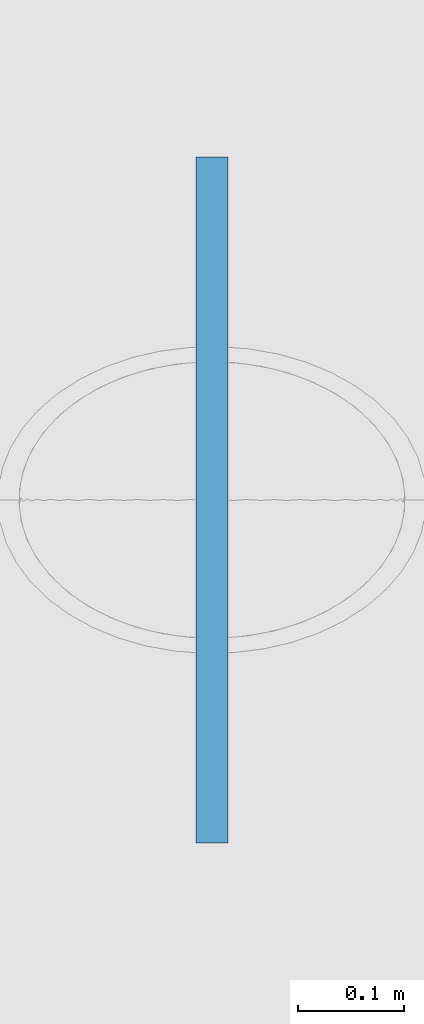
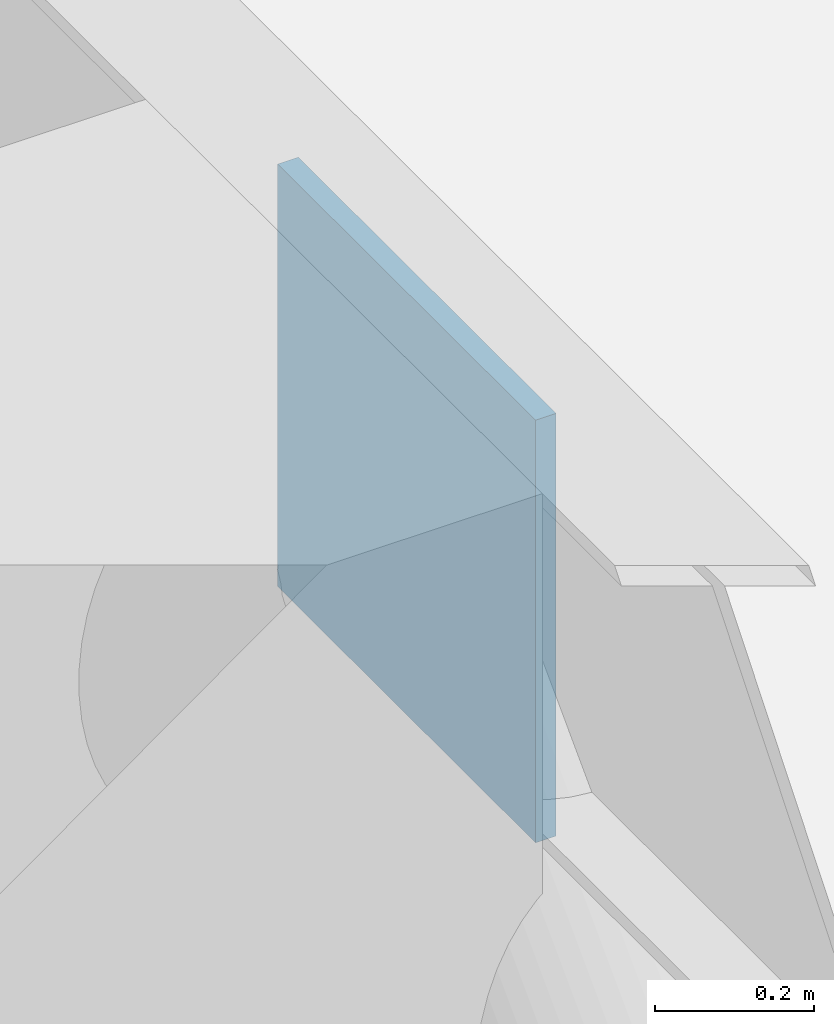
# One storey, part 41 of 60: 1 plate.
"""IFC4 building model written with IfcOpenShell, lengths in metres."""

import ifcopenshell
import ifcopenshell.guid

model = None  # the IFC model being written
_history = None  # IfcOwnerHistory: only IFC2X3 demands one
_inside = {}  # id of a spatial element -> (the spatial element, [elements in it])
_under = {}  # id of a project, library or spatial element -> (it, [spatial elements below it])
_declared = {}  # id of a project -> (the project, [libraries it declares])
_typed = {}  # id of a type object -> (the type object, [elements of that type])
_made_of = {}  # id of a material, layer set ... -> (it, [elements and type objects made of it])


def new_model(schema):
    """Start an empty IFC model of exactly this schema.

    Asked for "IFC4X3", IfcOpenShell would pick the latest addendum, in which some entities
    have other attributes; the version numbers below select the first issue.
    IFC2X3 requires an IfcOwnerHistory on every rooted entity: one is made here for all.
    """
    global model, _history
    if schema == "IFC4X3":
        model = ifcopenshell.file(schema_version=(4, 3, 0, 0))
    else:
        model = ifcopenshell.file(schema=schema)
    _inside.clear()
    _under.clear()
    _declared.clear()
    _typed.clear()
    _made_of.clear()
    _history = None
    if model.schema == "IFC2X3":
        org = make("IfcOrganization", Name="unknown")
        user = make(
            "IfcPersonAndOrganization",
            ThePerson=make("IfcPerson", FamilyName="unknown"),
            TheOrganization=org,
        )
        app = make(
            "IfcApplication",
            ApplicationDeveloper=org,
            Version="unknown",
            ApplicationFullName="unknown",
            ApplicationIdentifier="unknown",
        )
        _history = make(
            "IfcOwnerHistory",
            OwningUser=user,
            OwningApplication=app,
            ChangeAction="ADDED",
            CreationDate=0,
        )
    return model


def make(cls, **values):
    """One entity of the class cls with the attributes given. An attribute that is None is left unset."""
    return model.create_entity(
        cls, **{name: value for name, value in values.items() if value is not None}
    )


def rooted(cls, **values):
    """An entity with a GlobalId (a new one), such as an element, a storey or a relation."""
    return make(cls, GlobalId=ifcopenshell.guid.new(), OwnerHistory=_history, **values)


def si_unit(unit_type, name, prefix=None):
    """IfcSIUnit, for example si_unit("LENGTHUNIT", "METRE", prefix="MILLI")."""
    return make("IfcSIUnit", UnitType=unit_type, Prefix=prefix, Name=name)


def assignment(units):
    """IfcUnitAssignment: the units of a project."""
    return None if units is None else make("IfcUnitAssignment", Units=units)


def point(xyz):
    """IfcCartesianPoint."""
    return None if xyz is None else make("IfcCartesianPoint", Coordinates=xyz)


def direction(xyz):
    """IfcDirection."""
    return None if xyz is None else make("IfcDirection", DirectionRatios=xyz)


def frame(location, z_axis=None, x_axis=None):
    """IfcAxis2Placement3D, a coordinate frame: its origin and axes. An axis left out is left unset."""
    return make(
        "IfcAxis2Placement3D",
        Location=point(location),
        Axis=direction(z_axis),
        RefDirection=direction(x_axis),
    )


def frame_2d(location, x_axis=None):
    """IfcAxis2Placement2D, a coordinate frame in the plane: its origin and x axis."""
    return make(
        "IfcAxis2Placement2D", Location=point(location), RefDirection=direction(x_axis)
    )


def origin():
    """The frame at (0, 0, 0) with its axes left unset."""
    return frame((0.0, 0.0, 0.0))


def origin_2d():
    """The frame at (0, 0) in the plane with its x axis left unset."""
    return frame_2d((0.0, 0.0))


def place(relative_to, where):
    """IfcLocalPlacement: puts the frame where relative to a parent placement (None: the world)."""
    return make(
        "IfcLocalPlacement", PlacementRelTo=relative_to, RelativePlacement=where
    )


def context(
    kind, dimensions, precision=None, world=None, true_north=None, identifier=None
):
    """IfcGeometricRepresentationContext, for example the 3D "Model" context."""
    return make(
        "IfcGeometricRepresentationContext",
        ContextIdentifier=identifier,
        ContextType=kind,
        CoordinateSpaceDimension=dimensions,
        Precision=precision,
        WorldCoordinateSystem=world,
        TrueNorth=true_north,
    )


def subcontext(parent, identifier, kind, view, scale=None):
    """IfcGeometricRepresentationSubContext, for example "Body" below "Model"."""
    return make(
        "IfcGeometricRepresentationSubContext",
        ContextIdentifier=identifier,
        ContextType=kind,
        ParentContext=parent,
        TargetScale=scale,
        TargetView=view,
    )


def project(units=None, contexts=None):
    """IfcProject with its units and contexts."""
    return rooted(
        "IfcProject",
        Name="project",
        RepresentationContexts=contexts,
        UnitsInContext=assignment(units),
    )


def spatial(cls, under=None, at=None, **own):
    """A site, building, storey or space (cls), placed at a placement, below another one or the project."""
    s = rooted(cls, ObjectPlacement=at, **own)
    if under is not None:
        _under.setdefault(under.id(), (under, []))[1].append(s)
    return s


def profile(cls, at=None, kind="AREA", **sizes):
    """A parametric profile (cls). Its sizes go by their IFC names, for example OverallWidth=200.0."""
    return make(cls, ProfileType=kind, Position=at, **sizes)


def rectangle(**sizes):
    """IfcRectangleProfileDef."""
    return profile("IfcRectangleProfileDef", **sizes)


def extrude(swept, where, along, depth):
    """IfcExtrudedAreaSolid: the profile swept, set in the frame where, extruded along a direction by depth."""
    return make(
        "IfcExtrudedAreaSolid",
        SweptArea=swept,
        Position=where,
        ExtrudedDirection=direction(along),
        Depth=depth,
    )


def shape(context_of_items, identifier, shape_type, items):
    """IfcShapeRepresentation: the items that make up one representation, for example the "Body"."""
    return make(
        "IfcShapeRepresentation",
        ContextOfItems=context_of_items,
        RepresentationIdentifier=identifier,
        RepresentationType=shape_type,
        Items=items,
    )


def material(Name=None, Category=None):
    """IfcMaterial."""
    return make("IfcMaterial", Name=Name, Category=Category)


def layer(
    of_material, thickness, ventilated=None, Name=None, Category=None, Priority=None
):
    """IfcMaterialLayer: one layer of a wall or slab, of a material (None: an air gap)."""
    return make(
        "IfcMaterialLayer",
        Material=of_material,
        LayerThickness=thickness,
        IsVentilated=ventilated,
        Name=Name,
        Category=Category,
        Priority=Priority,
    )


def layer_set(layers, Name=None):
    """IfcMaterialLayerSet."""
    return make("IfcMaterialLayerSet", MaterialLayers=layers, LayerSetName=Name)


def made_of(thing, what):
    """Note that an element or type object is made of a material, layer set ...; save() writes the relation."""
    if what is not None:
        _made_of.setdefault(what.id(), (what, []))[1].append(thing)
    return thing


def type_object(cls, material=None, **own):
    """A type object (cls), such as IfcWallType, which elements share."""
    return made_of(rooted(cls, **own), material)


def element(
    cls,
    number,
    at=None,
    inside=None,
    cuts=None,
    type_object=None,
    material=None,
    context=None,
    identifier="Body",
    shape_type=None,
    held_by="IfcProductDefinitionShape",
    body=None,
    shapes=None,
    **own,
):
    """One element of the class cls, such as IfcWall. Its Tag is "e" and its number.

    at: its placement. inside: the storey or other place that contains it. cuts: it is an
    opening in that element (IfcRelVoidsElement). A single representation is given by context,
    identifier, shape_type and body (its items); several are given by shapes. held_by: the class
    of the entity that holds the representations. save() writes the other relations.
    """
    e = rooted(cls, Tag="e%d" % number, ObjectPlacement=at, **own)
    if body is not None:
        shapes = [shape(context, identifier, shape_type, body)]
    if shapes is not None:
        e.Representation = make(held_by, Representations=shapes)
    if inside is not None:
        _inside.setdefault(inside.id(), (inside, []))[1].append(e)
    if cuts is not None:
        rooted(
            "IfcRelVoidsElement", RelatingBuildingElement=cuts, RelatedOpeningElement=e
        )
    if type_object is not None:
        _typed.setdefault(type_object.id(), (type_object, []))[1].append(e)
    return made_of(e, material)


def aggregate(whole, parts):
    """IfcRelAggregates: a whole, such as a stair, and the parts it consists of."""
    return rooted("IfcRelAggregates", RelatingObject=whole, RelatedObjects=parts)


def save(model, path):
    """Write the relations noted so far, then the file.

    IfcRelAggregates (storeys below a building ...), IfcRelContainedInSpatialStructure (elements
    in a storey), IfcRelDefinesByType, IfcRelAssociatesMaterial and IfcRelDeclares: one each for
    every whole, place, type object, material and project.
    """
    for whole, parts in _under.values():
        aggregate(whole, parts)
    for where, things in _inside.values():
        rooted(
            "IfcRelContainedInSpatialStructure",
            RelatedElements=things,
            RelatingStructure=where,
        )
    for kind, things in _typed.values():
        rooted("IfcRelDefinesByType", RelatedObjects=things, RelatingType=kind)
    for what, things in _made_of.values():
        rooted("IfcRelAssociatesMaterial", RelatedObjects=things, RelatingMaterial=what)
    for by, libraries in _declared.values():
        rooted("IfcRelDeclares", RelatingContext=by, RelatedDefinitions=libraries)
    model.write(path)


model = new_model("IFC4")

# Units and contexts
model_context = context("Model", 3, precision=1e-05, world=origin(), true_north=direction((0.0, 1.0)))
body_context = subcontext(model_context, "Body", "Model", "MODEL_VIEW")
ifc_project = project(units=[si_unit("LENGTHUNIT", "METRE"), si_unit("AREAUNIT", "SQUARE_METRE"), si_unit("VOLUMEUNIT", "CUBIC_METRE"), si_unit("PLANEANGLEUNIT", "RADIAN"), si_unit("MASSUNIT", "GRAM", prefix="KILO")], contexts=[model_context])

# Site, building, storey
site_placement = place(None, origin())
site = spatial("IfcSite", under=ifc_project, at=site_placement, CompositionType="ELEMENT")
building_placement = place(site_placement, origin())
building = spatial("IfcBuilding", under=site, at=building_placement, Name="Varnela Railside Interchange", CompositionType="ELEMENT")
storey_placement = place(building_placement, frame((0.0, 0.0, 6.300048828125)))
storey = spatial("IfcBuildingStorey", under=building, at=storey_placement, Name="L01", CompositionType="ELEMENT", Elevation=6.300048828125)

# Plate
ifc_material = material(Name="Steel AR 350 (350 MPa)", Category="steel")
ifc_layer = layer(ifc_material, 0.64990234375)
ifc_layer_set = layer_set([ifc_layer], Name="Steel AR 350 (350 MPa)")
plate_type = type_object("IfcPlateType", Name="Brace Gusset Plate GP-01", PredefinedType="SHEET", material=ifc_layer_set)
plate_placement = place(storey_placement, frame((124.0, 74.0, 3.925048828125), z_axis=(0.0, 0.0, 1.0), x_axis=(0.0, 1.0, 0.0)))
element("IfcPlate", 1, at=plate_placement, inside=storey, type_object=plate_type, Name="Brace Gusset Plate GP-01 (L01) (PL-017)", PredefinedType="SHEET", context=body_context, shape_type="SweptSolid", body=[
    extrude(rectangle(XDim=0.64990234375, YDim=0.030029296875, at=origin_2d()), origin(), (0.0, 0.0, 1.0), 0.64990234375),
])

save(model, "model.ifc")
